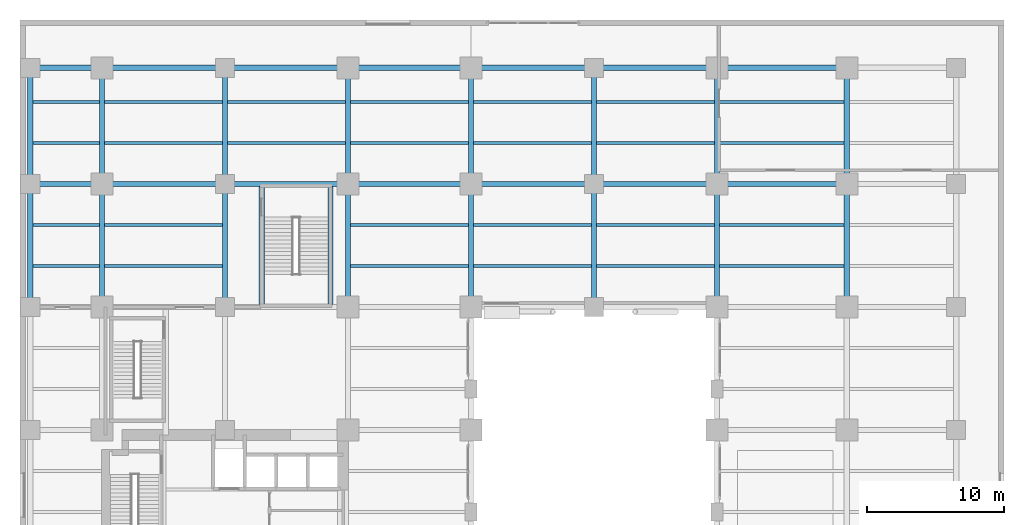
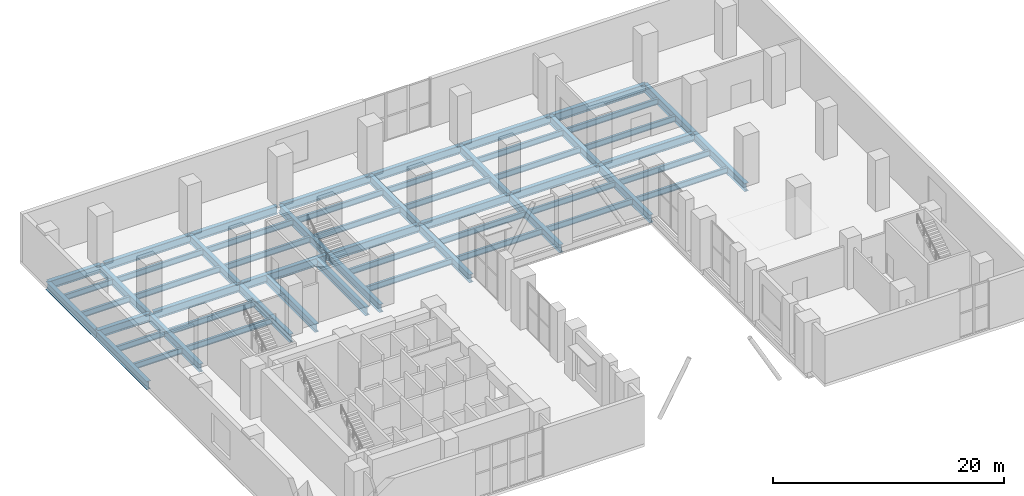
# One storey, part 11 of 20: 58 beams.
"""IFC4 building model written with IfcOpenShell, lengths in metres."""

import ifcopenshell
import ifcopenshell.guid

model = None  # the IFC model being written
_history = None  # IfcOwnerHistory: only IFC2X3 demands one
_inside = {}  # id of a spatial element -> (the spatial element, [elements in it])
_under = {}  # id of a project, library or spatial element -> (it, [spatial elements below it])
_declared = {}  # id of a project -> (the project, [libraries it declares])
_typed = {}  # id of a type object -> (the type object, [elements of that type])
_made_of = {}  # id of a material, layer set ... -> (it, [elements and type objects made of it])


def new_model(schema):
    """Start an empty IFC model of exactly this schema.

    Asked for "IFC4X3", IfcOpenShell would pick the latest addendum, in which some entities
    have other attributes; the version numbers below select the first issue.
    IFC2X3 requires an IfcOwnerHistory on every rooted entity: one is made here for all.
    """
    global model, _history
    if schema == "IFC4X3":
        model = ifcopenshell.file(schema_version=(4, 3, 0, 0))
    else:
        model = ifcopenshell.file(schema=schema)
    _inside.clear()
    _under.clear()
    _declared.clear()
    _typed.clear()
    _made_of.clear()
    _history = None
    if model.schema == "IFC2X3":
        org = make("IfcOrganization", Name="unknown")
        user = make(
            "IfcPersonAndOrganization",
            ThePerson=make("IfcPerson", FamilyName="unknown"),
            TheOrganization=org,
        )
        app = make(
            "IfcApplication",
            ApplicationDeveloper=org,
            Version="unknown",
            ApplicationFullName="unknown",
            ApplicationIdentifier="unknown",
        )
        _history = make(
            "IfcOwnerHistory",
            OwningUser=user,
            OwningApplication=app,
            ChangeAction="ADDED",
            CreationDate=0,
        )
    return model


def make(cls, **values):
    """One entity of the class cls with the attributes given. An attribute that is None is left unset."""
    return model.create_entity(
        cls, **{name: value for name, value in values.items() if value is not None}
    )


def rooted(cls, **values):
    """An entity with a GlobalId (a new one), such as an element, a storey or a relation."""
    return make(cls, GlobalId=ifcopenshell.guid.new(), OwnerHistory=_history, **values)


def si_unit(unit_type, name, prefix=None):
    """IfcSIUnit, for example si_unit("LENGTHUNIT", "METRE", prefix="MILLI")."""
    return make("IfcSIUnit", UnitType=unit_type, Prefix=prefix, Name=name)


def assignment(units):
    """IfcUnitAssignment: the units of a project."""
    return None if units is None else make("IfcUnitAssignment", Units=units)


def point(xyz):
    """IfcCartesianPoint."""
    return None if xyz is None else make("IfcCartesianPoint", Coordinates=xyz)


def direction(xyz):
    """IfcDirection."""
    return None if xyz is None else make("IfcDirection", DirectionRatios=xyz)


def frame(location, z_axis=None, x_axis=None):
    """IfcAxis2Placement3D, a coordinate frame: its origin and axes. An axis left out is left unset."""
    return make(
        "IfcAxis2Placement3D",
        Location=point(location),
        Axis=direction(z_axis),
        RefDirection=direction(x_axis),
    )


def frame_2d(location, x_axis=None):
    """IfcAxis2Placement2D, a coordinate frame in the plane: its origin and x axis."""
    return make(
        "IfcAxis2Placement2D", Location=point(location), RefDirection=direction(x_axis)
    )


def origin():
    """The frame at (0, 0, 0) with its axes left unset."""
    return frame((0.0, 0.0, 0.0))


def origin_2d():
    """The frame at (0, 0) in the plane with its x axis left unset."""
    return frame_2d((0.0, 0.0))


def place(relative_to, where):
    """IfcLocalPlacement: puts the frame where relative to a parent placement (None: the world)."""
    return make(
        "IfcLocalPlacement", PlacementRelTo=relative_to, RelativePlacement=where
    )


def context(
    kind, dimensions, precision=None, world=None, true_north=None, identifier=None
):
    """IfcGeometricRepresentationContext, for example the 3D "Model" context."""
    return make(
        "IfcGeometricRepresentationContext",
        ContextIdentifier=identifier,
        ContextType=kind,
        CoordinateSpaceDimension=dimensions,
        Precision=precision,
        WorldCoordinateSystem=world,
        TrueNorth=true_north,
    )


def subcontext(parent, identifier, kind, view, scale=None):
    """IfcGeometricRepresentationSubContext, for example "Body" below "Model"."""
    return make(
        "IfcGeometricRepresentationSubContext",
        ContextIdentifier=identifier,
        ContextType=kind,
        ParentContext=parent,
        TargetScale=scale,
        TargetView=view,
    )


def project(units=None, contexts=None):
    """IfcProject with its units and contexts."""
    return rooted(
        "IfcProject",
        Name="project",
        RepresentationContexts=contexts,
        UnitsInContext=assignment(units),
    )


def spatial(cls, under=None, at=None, **own):
    """A site, building, storey or space (cls), placed at a placement, below another one or the project."""
    s = rooted(cls, ObjectPlacement=at, **own)
    if under is not None:
        _under.setdefault(under.id(), (under, []))[1].append(s)
    return s


def profile(cls, at=None, kind="AREA", **sizes):
    """A parametric profile (cls). Its sizes go by their IFC names, for example OverallWidth=200.0."""
    return make(cls, ProfileType=kind, Position=at, **sizes)


def i_section(**sizes):
    """IfcIShapeProfileDef."""
    return profile("IfcIShapeProfileDef", **sizes)


def extrude(swept, where, along, depth):
    """IfcExtrudedAreaSolid: the profile swept, set in the frame where, extruded along a direction by depth."""
    return make(
        "IfcExtrudedAreaSolid",
        SweptArea=swept,
        Position=where,
        ExtrudedDirection=direction(along),
        Depth=depth,
    )


def shape(context_of_items, identifier, shape_type, items):
    """IfcShapeRepresentation: the items that make up one representation, for example the "Body"."""
    return make(
        "IfcShapeRepresentation",
        ContextOfItems=context_of_items,
        RepresentationIdentifier=identifier,
        RepresentationType=shape_type,
        Items=items,
    )


def material(Name=None, Category=None):
    """IfcMaterial."""
    return make("IfcMaterial", Name=Name, Category=Category)


def material_profile(
    of_material, cross_section, Name=None, Category=None, Priority=None
):
    """IfcMaterialProfile: a cross section and its material."""
    return make(
        "IfcMaterialProfile",
        Name=Name,
        Material=of_material,
        Profile=cross_section,
        Priority=Priority,
        Category=Category,
    )


def profile_set(profiles, Name=None, composite=None):
    """IfcMaterialProfileSet."""
    return make(
        "IfcMaterialProfileSet",
        Name=Name,
        MaterialProfiles=profiles,
        CompositeProfile=composite,
    )


def made_of(thing, what):
    """Note that an element or type object is made of a material, layer set ...; save() writes the relation."""
    if what is not None:
        _made_of.setdefault(what.id(), (what, []))[1].append(thing)
    return thing


def type_object(cls, material=None, **own):
    """A type object (cls), such as IfcWallType, which elements share."""
    return made_of(rooted(cls, **own), material)


def element(
    cls,
    number,
    at=None,
    inside=None,
    cuts=None,
    type_object=None,
    material=None,
    context=None,
    identifier="Body",
    shape_type=None,
    held_by="IfcProductDefinitionShape",
    body=None,
    shapes=None,
    **own,
):
    """One element of the class cls, such as IfcWall. Its Tag is "e" and its number.

    at: its placement. inside: the storey or other place that contains it. cuts: it is an
    opening in that element (IfcRelVoidsElement). A single representation is given by context,
    identifier, shape_type and body (its items); several are given by shapes. held_by: the class
    of the entity that holds the representations. save() writes the other relations.
    """
    e = rooted(cls, Tag="e%d" % number, ObjectPlacement=at, **own)
    if body is not None:
        shapes = [shape(context, identifier, shape_type, body)]
    if shapes is not None:
        e.Representation = make(held_by, Representations=shapes)
    if inside is not None:
        _inside.setdefault(inside.id(), (inside, []))[1].append(e)
    if cuts is not None:
        rooted(
            "IfcRelVoidsElement", RelatingBuildingElement=cuts, RelatedOpeningElement=e
        )
    if type_object is not None:
        _typed.setdefault(type_object.id(), (type_object, []))[1].append(e)
    return made_of(e, material)


def aggregate(whole, parts):
    """IfcRelAggregates: a whole, such as a stair, and the parts it consists of."""
    return rooted("IfcRelAggregates", RelatingObject=whole, RelatedObjects=parts)


def save(model, path):
    """Write the relations noted so far, then the file.

    IfcRelAggregates (storeys below a building ...), IfcRelContainedInSpatialStructure (elements
    in a storey), IfcRelDefinesByType, IfcRelAssociatesMaterial and IfcRelDeclares: one each for
    every whole, place, type object, material and project.
    """
    for whole, parts in _under.values():
        aggregate(whole, parts)
    for where, things in _inside.values():
        rooted(
            "IfcRelContainedInSpatialStructure",
            RelatedElements=things,
            RelatingStructure=where,
        )
    for kind, things in _typed.values():
        rooted("IfcRelDefinesByType", RelatedObjects=things, RelatingType=kind)
    for what, things in _made_of.values():
        rooted("IfcRelAssociatesMaterial", RelatedObjects=things, RelatingMaterial=what)
    for by, libraries in _declared.values():
        rooted("IfcRelDeclares", RelatingContext=by, RelatedDefinitions=libraries)
    model.write(path)


model = new_model("IFC4")

# Units and contexts
model_context = context("Model", 3, precision=1e-05, world=origin(), true_north=direction((0.0, 1.0)))
body_context = subcontext(model_context, "Body", "Model", "MODEL_VIEW")
ifc_project = project(units=[si_unit("LENGTHUNIT", "METRE"), si_unit("AREAUNIT", "SQUARE_METRE"), si_unit("VOLUMEUNIT", "CUBIC_METRE"), si_unit("PLANEANGLEUNIT", "RADIAN"), si_unit("MASSUNIT", "GRAM", prefix="KILO")], contexts=[model_context])

# Site, building, storey
site_placement = place(None, origin())
site = spatial("IfcSite", under=ifc_project, at=site_placement, CompositionType="ELEMENT")
building_placement = place(site_placement, origin())
building = spatial("IfcBuilding", under=site, at=building_placement, Name="Mawjdan Bourse Tower", CompositionType="ELEMENT")
storey_placement = place(building_placement, frame((0.0, 0.0, 5.39990234375)))
storey = spatial("IfcBuildingStorey", under=building, at=storey_placement, Name="L01", CompositionType="ELEMENT", Elevation=5.39990234375)

# Beams
ifc_material = material(Name="Structural Steel S355", Category="steel")
ifc_material_profile_1 = material_profile(ifc_material, i_section(OverallWidth=0.39892578125, OverallDepth=0.85595703125, WebThickness=0.018310546875, FlangeThickness=0.029296875, FilletRadius=0.0234375, at=origin_2d()), Name="W33X201")
ifc_profile_set_1 = profile_set([ifc_material_profile_1], Name="Structural Steel S355")
beam_type_1 = type_object("IfcBeamType", Name="GRD-W33X201", PredefinedType="BEAM", material=ifc_profile_set_1)
beam_1_placement = place(storey_placement, frame((0.75, 30.0, -0.727783203125), z_axis=(0.0, 1.0, 0.0), x_axis=(-1.0, 0.0, 0.0)))
element("IfcBeam", 1, at=beam_1_placement, inside=storey, type_object=beam_type_1, Name="L01 West Facade Pier Girder 005", PredefinedType="BEAM", context=body_context, shape_type="SweptSolid", body=[
    extrude(i_section(OverallWidth=0.39892578125, OverallDepth=0.85595703125, WebThickness=0.018310546875, FlangeThickness=0.029296875, FilletRadius=0.0234375, at=origin_2d()), origin(), (0.0, 0.0, 1.0), 9.0),
])
beam_2_placement = place(storey_placement, frame((0.75, 39.0, -0.727783203125), z_axis=(0.0, 1.0, 0.0), x_axis=(-1.0, 0.0, 0.0)))
element("IfcBeam", 2, at=beam_2_placement, inside=storey, type_object=beam_type_1, Name="L01 West Facade Pier Girder 006", PredefinedType="BEAM", context=body_context, shape_type="SweptSolid", body=[
    extrude(i_section(OverallWidth=0.39892578125, OverallDepth=0.85595703125, WebThickness=0.018310546875, FlangeThickness=0.029296875, FilletRadius=0.0234375, at=origin_2d()), origin(), (0.0, 0.0, 1.0), 8.5),
])
for number, where, z_axis, x_axis, name in (
    (3, (17.679931640625, 30.197509765625, -0.727783203125), (0.0, 1.0, 0.0), (-1.0, 0.0, 0.0), "L01 ST4 Stair West Trimmer 008"),
    (4, (22.719970703125, 30.197509765625, -0.727783203125), (0.0, 1.0, 0.0), (-1.0, 0.0, 0.0), "L01 ST4 Stair East Trimmer 009"),
):
    element("IfcBeam", number, at=place(storey_placement, frame(where, z_axis=z_axis, x_axis=x_axis)), inside=storey, type_object=beam_type_1, Name=name, PredefinedType="BEAM", context=body_context, shape_type="SweptSolid", body=[
        extrude(i_section(OverallWidth=0.39892578125, OverallDepth=0.85595703125, WebThickness=0.018310546875, FlangeThickness=0.029296875, FilletRadius=0.0234375, at=origin_2d()), origin(), (0.0, 0.0, 1.0), 8.60498046875),
    ])
beam_3_placement = place(storey_placement, frame((6.0, 30.0, -0.727783203125), z_axis=(0.0, 1.0, 0.0), x_axis=(-1.0, 0.0, 0.0)))
element("IfcBeam", 5, at=beam_3_placement, inside=storey, type_object=beam_type_1, Name="L01 Podium Primary Girder 011", PredefinedType="BEAM", context=body_context, shape_type="SweptSolid", body=[
    extrude(i_section(OverallWidth=0.39892578125, OverallDepth=0.85595703125, WebThickness=0.018310546875, FlangeThickness=0.029296875, FilletRadius=0.0234375, at=origin_2d()), origin(), (0.0, 0.0, 1.0), 9.0),
])
beam_4_placement = place(storey_placement, frame((6.0, 39.0, -0.727783203125), z_axis=(0.0, 1.0, 0.0), x_axis=(-1.0, 0.0, 0.0)))
element("IfcBeam", 6, at=beam_4_placement, inside=storey, type_object=beam_type_1, Name="L01 Podium Primary Girder 012", PredefinedType="BEAM", context=body_context, shape_type="SweptSolid", body=[
    extrude(i_section(OverallWidth=0.39892578125, OverallDepth=0.85595703125, WebThickness=0.018310546875, FlangeThickness=0.029296875, FilletRadius=0.0234375, at=origin_2d()), origin(), (0.0, 0.0, 1.0), 8.5),
])
beam_5_placement = place(storey_placement, frame((15.0, 30.0, -0.727783203125), z_axis=(0.0, 1.0, 0.0), x_axis=(-1.0, 0.0, 0.0)))
element("IfcBeam", 7, at=beam_5_placement, inside=storey, type_object=beam_type_1, Name="L01 Podium Primary Girder 014", PredefinedType="BEAM", context=body_context, shape_type="SweptSolid", body=[
    extrude(i_section(OverallWidth=0.39892578125, OverallDepth=0.85595703125, WebThickness=0.018310546875, FlangeThickness=0.029296875, FilletRadius=0.0234375, at=origin_2d()), origin(), (0.0, 0.0, 1.0), 9.0),
])
beam_6_placement = place(storey_placement, frame((15.0, 39.0, -0.727783203125), z_axis=(0.0, 1.0, 0.0), x_axis=(-1.0, 0.0, 0.0)))
element("IfcBeam", 8, at=beam_6_placement, inside=storey, type_object=beam_type_1, Name="L01 Podium Primary Girder 015", PredefinedType="BEAM", context=body_context, shape_type="SweptSolid", body=[
    extrude(i_section(OverallWidth=0.39892578125, OverallDepth=0.85595703125, WebThickness=0.018310546875, FlangeThickness=0.029296875, FilletRadius=0.0234375, at=origin_2d()), origin(), (0.0, 0.0, 1.0), 8.5),
])
beam_7_placement = place(storey_placement, frame((24.0, 30.0, -0.727783203125), z_axis=(0.0, 1.0, 0.0), x_axis=(-1.0, 0.0, 0.0)))
element("IfcBeam", 9, at=beam_7_placement, inside=storey, type_object=beam_type_1, Name="L01 Podium Primary Girder 017", PredefinedType="BEAM", context=body_context, shape_type="SweptSolid", body=[
    extrude(i_section(OverallWidth=0.39892578125, OverallDepth=0.85595703125, WebThickness=0.018310546875, FlangeThickness=0.029296875, FilletRadius=0.0234375, at=origin_2d()), origin(), (0.0, 0.0, 1.0), 9.0),
])
beam_8_placement = place(storey_placement, frame((24.0, 39.0, -0.727783203125), z_axis=(0.0, 1.0, 0.0), x_axis=(-1.0, 0.0, 0.0)))
element("IfcBeam", 10, at=beam_8_placement, inside=storey, type_object=beam_type_1, Name="L01 Podium Primary Girder 018", PredefinedType="BEAM", context=body_context, shape_type="SweptSolid", body=[
    extrude(i_section(OverallWidth=0.39892578125, OverallDepth=0.85595703125, WebThickness=0.018310546875, FlangeThickness=0.029296875, FilletRadius=0.0234375, at=origin_2d()), origin(), (0.0, 0.0, 1.0), 8.5),
])
beam_9_placement = place(storey_placement, frame((33.0, 30.0, -0.727783203125), z_axis=(0.0, 1.0, 0.0), x_axis=(-1.0, 0.0, 0.0)))
element("IfcBeam", 11, at=beam_9_placement, inside=storey, type_object=beam_type_1, Name="L01 Podium Primary Girder 022", PredefinedType="BEAM", context=body_context, shape_type="SweptSolid", body=[
    extrude(i_section(OverallWidth=0.39892578125, OverallDepth=0.85595703125, WebThickness=0.018310546875, FlangeThickness=0.029296875, FilletRadius=0.0234375, at=origin_2d()), origin(), (0.0, 0.0, 1.0), 9.0),
])
beam_10_placement = place(storey_placement, frame((33.0, 39.0, -0.727783203125), z_axis=(0.0, 1.0, 0.0), x_axis=(-1.0, 0.0, 0.0)))
element("IfcBeam", 12, at=beam_10_placement, inside=storey, type_object=beam_type_1, Name="L01 Podium Primary Girder 023", PredefinedType="BEAM", context=body_context, shape_type="SweptSolid", body=[
    extrude(i_section(OverallWidth=0.39892578125, OverallDepth=0.85595703125, WebThickness=0.018310546875, FlangeThickness=0.029296875, FilletRadius=0.0234375, at=origin_2d()), origin(), (0.0, 0.0, 1.0), 8.5),
])
beam_11_placement = place(storey_placement, frame((42.0, 30.0, -0.727783203125), z_axis=(0.0, 1.0, 0.0), x_axis=(-1.0, 0.0, 0.0)))
element("IfcBeam", 13, at=beam_11_placement, inside=storey, type_object=beam_type_1, Name="L01 Podium Primary Girder 024", PredefinedType="BEAM", context=body_context, shape_type="SweptSolid", body=[
    extrude(i_section(OverallWidth=0.39892578125, OverallDepth=0.85595703125, WebThickness=0.018310546875, FlangeThickness=0.029296875, FilletRadius=0.0234375, at=origin_2d()), origin(), (0.0, 0.0, 1.0), 9.0),
])
beam_12_placement = place(storey_placement, frame((42.0, 39.0, -0.727783203125), z_axis=(0.0, 1.0, 0.0), x_axis=(-1.0, 0.0, 0.0)))
element("IfcBeam", 14, at=beam_12_placement, inside=storey, type_object=beam_type_1, Name="L01 Podium Primary Girder 025", PredefinedType="BEAM", context=body_context, shape_type="SweptSolid", body=[
    extrude(i_section(OverallWidth=0.39892578125, OverallDepth=0.85595703125, WebThickness=0.018310546875, FlangeThickness=0.029296875, FilletRadius=0.0234375, at=origin_2d()), origin(), (0.0, 0.0, 1.0), 8.5),
])
beam_13_placement = place(storey_placement, frame((51.0, 30.0, -0.727783203125), z_axis=(0.0, 1.0, 0.0), x_axis=(-1.0, 0.0, 0.0)))
element("IfcBeam", 15, at=beam_13_placement, inside=storey, type_object=beam_type_1, Name="L01 Podium Primary Girder 029", PredefinedType="BEAM", context=body_context, shape_type="SweptSolid", body=[
    extrude(i_section(OverallWidth=0.39892578125, OverallDepth=0.85595703125, WebThickness=0.018310546875, FlangeThickness=0.029296875, FilletRadius=0.0234375, at=origin_2d()), origin(), (0.0, 0.0, 1.0), 9.0),
])
beam_14_placement = place(storey_placement, frame((51.0, 39.0, -0.727783203125), z_axis=(0.0, 1.0, 0.0), x_axis=(-1.0, 0.0, 0.0)))
element("IfcBeam", 16, at=beam_14_placement, inside=storey, type_object=beam_type_1, Name="L01 Podium Primary Girder 030", PredefinedType="BEAM", context=body_context, shape_type="SweptSolid", body=[
    extrude(i_section(OverallWidth=0.39892578125, OverallDepth=0.85595703125, WebThickness=0.018310546875, FlangeThickness=0.029296875, FilletRadius=0.0234375, at=origin_2d()), origin(), (0.0, 0.0, 1.0), 8.5),
])
beam_15_placement = place(storey_placement, frame((60.5, 30.0, -0.727783203125), z_axis=(0.0, 1.0, 0.0), x_axis=(-1.0, 0.0, 0.0)))
element("IfcBeam", 17, at=beam_15_placement, inside=storey, type_object=beam_type_1, Name="L01 Podium Primary Girder 034", PredefinedType="BEAM", context=body_context, shape_type="SweptSolid", body=[
    extrude(i_section(OverallWidth=0.39892578125, OverallDepth=0.85595703125, WebThickness=0.018310546875, FlangeThickness=0.029296875, FilletRadius=0.0234375, at=origin_2d()), origin(), (0.0, 0.0, 1.0), 9.0),
])
beam_16_placement = place(storey_placement, frame((60.5, 39.0, -0.727783203125), z_axis=(0.0, 1.0, 0.0), x_axis=(-1.0, 0.0, 0.0)))
element("IfcBeam", 18, at=beam_16_placement, inside=storey, type_object=beam_type_1, Name="L01 Podium Primary Girder 035", PredefinedType="BEAM", context=body_context, shape_type="SweptSolid", body=[
    extrude(i_section(OverallWidth=0.39892578125, OverallDepth=0.85595703125, WebThickness=0.018310546875, FlangeThickness=0.029296875, FilletRadius=0.0234375, at=origin_2d()), origin(), (0.0, 0.0, 1.0), 8.5),
])
beam_17_placement = place(storey_placement, frame((0.75, 39.0, -0.727783203125), z_axis=(1.0, 0.0, 0.0), x_axis=(0.0, 1.0, 0.0)))
element("IfcBeam", 19, at=beam_17_placement, inside=storey, type_object=beam_type_1, Name="L01 Podium Tie Girder 061", PredefinedType="BEAM", context=body_context, shape_type="SweptSolid", body=[
    extrude(i_section(OverallWidth=0.39892578125, OverallDepth=0.85595703125, WebThickness=0.018310546875, FlangeThickness=0.029296875, FilletRadius=0.0234375, at=origin_2d()), origin(), (0.0, 0.0, 1.0), 5.25),
])
for number, where, z_axis, x_axis, name in (
    (20, (6.35009765625, 39.0, -0.727783203125), (1.0, 0.0, 0.0), (0.0, 1.0, 0.0), "L01 Podium Tie Girder 062"),
    (21, (15.0, 39.0, -0.727783203125), (1.0, 0.0, 0.0), (0.0, 1.0, 0.0), "L01 Podium Tie Girder 063"),
):
    element("IfcBeam", number, at=place(storey_placement, frame(where, z_axis=z_axis, x_axis=x_axis)), inside=storey, type_object=beam_type_1, Name=name, PredefinedType="BEAM", context=body_context, shape_type="SweptSolid", body=[
        extrude(i_section(OverallWidth=0.39892578125, OverallDepth=0.85595703125, WebThickness=0.018310546875, FlangeThickness=0.029296875, FilletRadius=0.0234375, at=origin_2d()), origin(), (0.0, 0.0, 1.0), 8.64990234375),
    ])
for number, where, z_axis, x_axis, name in (
    (22, (24.0, 39.0, -0.727783203125), (1.0, 0.0, 0.0), (0.0, 1.0, 0.0), "L01 Podium Tie Girder 064"),
    (23, (33.0, 39.0, -0.727783203125), (1.0, 0.0, 0.0), (0.0, 1.0, 0.0), "L01 Podium Tie Girder 065"),
    (24, (42.0, 39.0, -0.727783203125), (1.0, 0.0, 0.0), (0.0, 1.0, 0.0), "L01 Podium Tie Girder 066"),
):
    element("IfcBeam", number, at=place(storey_placement, frame(where, z_axis=z_axis, x_axis=x_axis)), inside=storey, type_object=beam_type_1, Name=name, PredefinedType="BEAM", context=body_context, shape_type="SweptSolid", body=[
        extrude(i_section(OverallWidth=0.39892578125, OverallDepth=0.85595703125, WebThickness=0.018310546875, FlangeThickness=0.029296875, FilletRadius=0.0234375, at=origin_2d()), origin(), (0.0, 0.0, 1.0), 9.0),
    ])
beam_18_placement = place(storey_placement, frame((51.0, 39.0, -0.727783203125), z_axis=(1.0, 0.0, 0.0), x_axis=(0.0, 1.0, 0.0)))
element("IfcBeam", 25, at=beam_18_placement, inside=storey, type_object=beam_type_1, Name="L01 Podium Tie Girder 067", PredefinedType="BEAM", context=body_context, shape_type="SweptSolid", body=[
    extrude(i_section(OverallWidth=0.39892578125, OverallDepth=0.85595703125, WebThickness=0.018310546875, FlangeThickness=0.029296875, FilletRadius=0.0234375, at=origin_2d()), origin(), (0.0, 0.0, 1.0), 9.5),
])
beam_19_placement = place(storey_placement, frame((0.75, 47.5, -0.727783203125), z_axis=(1.0, 0.0, 0.0), x_axis=(0.0, 1.0, 0.0)))
element("IfcBeam", 26, at=beam_19_placement, inside=storey, type_object=beam_type_1, Name="L01 Podium Tie Girder 069", PredefinedType="BEAM", context=body_context, shape_type="SweptSolid", body=[
    extrude(i_section(OverallWidth=0.39892578125, OverallDepth=0.85595703125, WebThickness=0.018310546875, FlangeThickness=0.029296875, FilletRadius=0.0234375, at=origin_2d()), origin(), (0.0, 0.0, 1.0), 5.25),
])
for number, where, z_axis, x_axis, name in (
    (27, (6.35009765625, 47.5, -0.727783203125), (1.0, 0.0, 0.0), (0.0, 1.0, 0.0), "L01 Podium Tie Girder 070"),
    (28, (15.0, 47.5, -0.727783203125), (1.0, 0.0, 0.0), (0.0, 1.0, 0.0), "L01 Podium Tie Girder 071"),
):
    element("IfcBeam", number, at=place(storey_placement, frame(where, z_axis=z_axis, x_axis=x_axis)), inside=storey, type_object=beam_type_1, Name=name, PredefinedType="BEAM", context=body_context, shape_type="SweptSolid", body=[
        extrude(i_section(OverallWidth=0.39892578125, OverallDepth=0.85595703125, WebThickness=0.018310546875, FlangeThickness=0.029296875, FilletRadius=0.0234375, at=origin_2d()), origin(), (0.0, 0.0, 1.0), 8.64990234375),
    ])
for number, where, z_axis, x_axis, name in (
    (29, (24.0, 47.5, -0.727783203125), (1.0, 0.0, 0.0), (0.0, 1.0, 0.0), "L01 Podium Tie Girder 072"),
    (30, (33.0, 47.5, -0.727783203125), (1.0, 0.0, 0.0), (0.0, 1.0, 0.0), "L01 Podium Tie Girder 073"),
    (31, (42.0, 47.5, -0.727783203125), (1.0, 0.0, 0.0), (0.0, 1.0, 0.0), "L01 Podium Tie Girder 074"),
):
    element("IfcBeam", number, at=place(storey_placement, frame(where, z_axis=z_axis, x_axis=x_axis)), inside=storey, type_object=beam_type_1, Name=name, PredefinedType="BEAM", context=body_context, shape_type="SweptSolid", body=[
        extrude(i_section(OverallWidth=0.39892578125, OverallDepth=0.85595703125, WebThickness=0.018310546875, FlangeThickness=0.029296875, FilletRadius=0.0234375, at=origin_2d()), origin(), (0.0, 0.0, 1.0), 9.0),
    ])
beam_20_placement = place(storey_placement, frame((51.0, 47.5, -0.727783203125), z_axis=(1.0, 0.0, 0.0), x_axis=(0.0, 1.0, 0.0)))
element("IfcBeam", 32, at=beam_20_placement, inside=storey, type_object=beam_type_1, Name="L01 Podium Tie Girder 075", PredefinedType="BEAM", context=body_context, shape_type="SweptSolid", body=[
    extrude(i_section(OverallWidth=0.39892578125, OverallDepth=0.85595703125, WebThickness=0.018310546875, FlangeThickness=0.029296875, FilletRadius=0.0234375, at=origin_2d()), origin(), (0.0, 0.0, 1.0), 9.5),
])
ifc_material_profile_2 = material_profile(ifc_material, i_section(OverallWidth=0.22998046875, OverallDepth=0.616943359375, WebThickness=0.01318359375, FlangeThickness=0.022216796875, FilletRadius=0.017822265625, at=origin_2d()), Name="W24X94")
ifc_profile_set_2 = profile_set([ifc_material_profile_2], Name="Structural Steel S355")
beam_type_2 = type_object("IfcBeamType", Name="JST-W24X94", PredefinedType="JOIST", material=ifc_profile_set_2)
beam_21_placement = place(storey_placement, frame((0.947509765625, 33.0, -0.6083984375), z_axis=(1.0, 0.0, 0.0), x_axis=(0.0, 1.0, 0.0)))
element("IfcBeam", 33, at=beam_21_placement, inside=storey, type_object=beam_type_2, Name="L01 Composite Floor Joist 099", PredefinedType="JOIST", context=body_context, shape_type="SweptSolid", body=[
    extrude(i_section(OverallWidth=0.22998046875, OverallDepth=0.616943359375, WebThickness=0.01318359375, FlangeThickness=0.022216796875, FilletRadius=0.017822265625, at=origin_2d()), origin(), (0.0, 0.0, 1.0), 4.85498046875),
])
for number, where, z_axis, x_axis, name in (
    (34, (6.197509765625, 33.0, -0.6083984375), (1.0, 0.0, 0.0), (0.0, 1.0, 0.0), "L01 Composite Floor Joist 100"),
    (35, (24.197509765625, 33.0, -0.6083984375), (1.0, 0.0, 0.0), (0.0, 1.0, 0.0), "L01 Composite Floor Joist 101"),
    (36, (33.197509765625, 33.0, -0.6083984375), (1.0, 0.0, 0.0), (0.0, 1.0, 0.0), "L01 Composite Floor Joist 102"),
    (37, (42.197509765625, 33.0, -0.6083984375), (1.0, 0.0, 0.0), (0.0, 1.0, 0.0), "L01 Composite Floor Joist 103"),
):
    element("IfcBeam", number, at=place(storey_placement, frame(where, z_axis=z_axis, x_axis=x_axis)), inside=storey, type_object=beam_type_2, Name=name, PredefinedType="JOIST", context=body_context, shape_type="SweptSolid", body=[
        extrude(i_section(OverallWidth=0.22998046875, OverallDepth=0.616943359375, WebThickness=0.01318359375, FlangeThickness=0.022216796875, FilletRadius=0.017822265625, at=origin_2d()), origin(), (0.0, 0.0, 1.0), 8.60498046875),
    ])
beam_22_placement = place(storey_placement, frame((51.197509765625, 33.0, -0.6083984375), z_axis=(1.0, 0.0, 0.0), x_axis=(0.0, 1.0, 0.0)))
element("IfcBeam", 38, at=beam_22_placement, inside=storey, type_object=beam_type_2, Name="L01 Composite Floor Joist 104", PredefinedType="JOIST", context=body_context, shape_type="SweptSolid", body=[
    extrude(i_section(OverallWidth=0.22998046875, OverallDepth=0.616943359375, WebThickness=0.01318359375, FlangeThickness=0.022216796875, FilletRadius=0.017822265625, at=origin_2d()), origin(), (0.0, 0.0, 1.0), 9.10498046875),
])
beam_23_placement = place(storey_placement, frame((0.947509765625, 36.0, -0.6083984375), z_axis=(1.0, 0.0, 0.0), x_axis=(0.0, 1.0, 0.0)))
element("IfcBeam", 39, at=beam_23_placement, inside=storey, type_object=beam_type_2, Name="L01 Composite Floor Joist 106", PredefinedType="JOIST", context=body_context, shape_type="SweptSolid", body=[
    extrude(i_section(OverallWidth=0.22998046875, OverallDepth=0.616943359375, WebThickness=0.01318359375, FlangeThickness=0.022216796875, FilletRadius=0.017822265625, at=origin_2d()), origin(), (0.0, 0.0, 1.0), 4.85498046875),
])
for number, where, z_axis, x_axis, name in (
    (40, (6.197509765625, 36.0, -0.6083984375), (1.0, 0.0, 0.0), (0.0, 1.0, 0.0), "L01 Composite Floor Joist 107"),
    (41, (24.197509765625, 36.0, -0.6083984375), (1.0, 0.0, 0.0), (0.0, 1.0, 0.0), "L01 Composite Floor Joist 108"),
    (42, (33.197509765625, 36.0, -0.6083984375), (1.0, 0.0, 0.0), (0.0, 1.0, 0.0), "L01 Composite Floor Joist 109"),
    (43, (42.197509765625, 36.0, -0.6083984375), (1.0, 0.0, 0.0), (0.0, 1.0, 0.0), "L01 Composite Floor Joist 110"),
):
    element("IfcBeam", number, at=place(storey_placement, frame(where, z_axis=z_axis, x_axis=x_axis)), inside=storey, type_object=beam_type_2, Name=name, PredefinedType="JOIST", context=body_context, shape_type="SweptSolid", body=[
        extrude(i_section(OverallWidth=0.22998046875, OverallDepth=0.616943359375, WebThickness=0.01318359375, FlangeThickness=0.022216796875, FilletRadius=0.017822265625, at=origin_2d()), origin(), (0.0, 0.0, 1.0), 8.60498046875),
    ])
beam_24_placement = place(storey_placement, frame((51.197509765625, 36.0, -0.6083984375), z_axis=(1.0, 0.0, 0.0), x_axis=(0.0, 1.0, 0.0)))
element("IfcBeam", 44, at=beam_24_placement, inside=storey, type_object=beam_type_2, Name="L01 Composite Floor Joist 111", PredefinedType="JOIST", context=body_context, shape_type="SweptSolid", body=[
    extrude(i_section(OverallWidth=0.22998046875, OverallDepth=0.616943359375, WebThickness=0.01318359375, FlangeThickness=0.022216796875, FilletRadius=0.017822265625, at=origin_2d()), origin(), (0.0, 0.0, 1.0), 9.10498046875),
])
beam_25_placement = place(storey_placement, frame((0.947509765625, 42.0, -0.6083984375), z_axis=(1.0, 0.0, 0.0), x_axis=(0.0, 1.0, 0.0)))
element("IfcBeam", 45, at=beam_25_placement, inside=storey, type_object=beam_type_2, Name="L01 Composite Floor Joist 113", PredefinedType="JOIST", context=body_context, shape_type="SweptSolid", body=[
    extrude(i_section(OverallWidth=0.22998046875, OverallDepth=0.616943359375, WebThickness=0.01318359375, FlangeThickness=0.022216796875, FilletRadius=0.017822265625, at=origin_2d()), origin(), (0.0, 0.0, 1.0), 4.85498046875),
])
for number, where, z_axis, x_axis, name in (
    (46, (6.197509765625, 42.0, -0.6083984375), (1.0, 0.0, 0.0), (0.0, 1.0, 0.0), "L01 Composite Floor Joist 114"),
    (47, (15.197509765625, 42.0, -0.6083984375), (1.0, 0.0, 0.0), (0.0, 1.0, 0.0), "L01 Composite Floor Joist 115"),
    (48, (24.197509765625, 42.0, -0.6083984375), (1.0, 0.0, 0.0), (0.0, 1.0, 0.0), "L01 Composite Floor Joist 116"),
    (49, (33.197509765625, 42.0, -0.6083984375), (1.0, 0.0, 0.0), (0.0, 1.0, 0.0), "L01 Composite Floor Joist 117"),
    (50, (42.197509765625, 42.0, -0.6083984375), (1.0, 0.0, 0.0), (0.0, 1.0, 0.0), "L01 Composite Floor Joist 118"),
):
    element("IfcBeam", number, at=place(storey_placement, frame(where, z_axis=z_axis, x_axis=x_axis)), inside=storey, type_object=beam_type_2, Name=name, PredefinedType="JOIST", context=body_context, shape_type="SweptSolid", body=[
        extrude(i_section(OverallWidth=0.22998046875, OverallDepth=0.616943359375, WebThickness=0.01318359375, FlangeThickness=0.022216796875, FilletRadius=0.017822265625, at=origin_2d()), origin(), (0.0, 0.0, 1.0), 8.60498046875),
    ])
beam_26_placement = place(storey_placement, frame((51.197509765625, 42.0, -0.6083984375), z_axis=(1.0, 0.0, 0.0), x_axis=(0.0, 1.0, 0.0)))
element("IfcBeam", 51, at=beam_26_placement, inside=storey, type_object=beam_type_2, Name="L01 Composite Floor Joist 119", PredefinedType="JOIST", context=body_context, shape_type="SweptSolid", body=[
    extrude(i_section(OverallWidth=0.22998046875, OverallDepth=0.616943359375, WebThickness=0.01318359375, FlangeThickness=0.022216796875, FilletRadius=0.017822265625, at=origin_2d()), origin(), (0.0, 0.0, 1.0), 9.10498046875),
])
beam_27_placement = place(storey_placement, frame((0.947509765625, 45.0, -0.6083984375), z_axis=(1.0, 0.0, 0.0), x_axis=(0.0, 1.0, 0.0)))
element("IfcBeam", 52, at=beam_27_placement, inside=storey, type_object=beam_type_2, Name="L01 Composite Floor Joist 121", PredefinedType="JOIST", context=body_context, shape_type="SweptSolid", body=[
    extrude(i_section(OverallWidth=0.22998046875, OverallDepth=0.616943359375, WebThickness=0.01318359375, FlangeThickness=0.022216796875, FilletRadius=0.017822265625, at=origin_2d()), origin(), (0.0, 0.0, 1.0), 4.85498046875),
])
for number, where, z_axis, x_axis, name in (
    (53, (6.197509765625, 45.0, -0.6083984375), (1.0, 0.0, 0.0), (0.0, 1.0, 0.0), "L01 Composite Floor Joist 122"),
    (54, (15.197509765625, 45.0, -0.6083984375), (1.0, 0.0, 0.0), (0.0, 1.0, 0.0), "L01 Composite Floor Joist 123"),
    (55, (24.197509765625, 45.0, -0.6083984375), (1.0, 0.0, 0.0), (0.0, 1.0, 0.0), "L01 Composite Floor Joist 124"),
    (56, (33.197509765625, 45.0, -0.6083984375), (1.0, 0.0, 0.0), (0.0, 1.0, 0.0), "L01 Composite Floor Joist 125"),
    (57, (42.197509765625, 45.0, -0.6083984375), (1.0, 0.0, 0.0), (0.0, 1.0, 0.0), "L01 Composite Floor Joist 126"),
):
    element("IfcBeam", number, at=place(storey_placement, frame(where, z_axis=z_axis, x_axis=x_axis)), inside=storey, type_object=beam_type_2, Name=name, PredefinedType="JOIST", context=body_context, shape_type="SweptSolid", body=[
        extrude(i_section(OverallWidth=0.22998046875, OverallDepth=0.616943359375, WebThickness=0.01318359375, FlangeThickness=0.022216796875, FilletRadius=0.017822265625, at=origin_2d()), origin(), (0.0, 0.0, 1.0), 8.60498046875),
    ])
beam_28_placement = place(storey_placement, frame((51.197509765625, 45.0, -0.6083984375), z_axis=(1.0, 0.0, 0.0), x_axis=(0.0, 1.0, 0.0)))
element("IfcBeam", 58, at=beam_28_placement, inside=storey, type_object=beam_type_2, Name="L01 Composite Floor Joist 127", PredefinedType="JOIST", context=body_context, shape_type="SweptSolid", body=[
    extrude(i_section(OverallWidth=0.22998046875, OverallDepth=0.616943359375, WebThickness=0.01318359375, FlangeThickness=0.022216796875, FilletRadius=0.017822265625, at=origin_2d()), origin(), (0.0, 0.0, 1.0), 9.10498046875),
])

save(model, "model.ifc")
